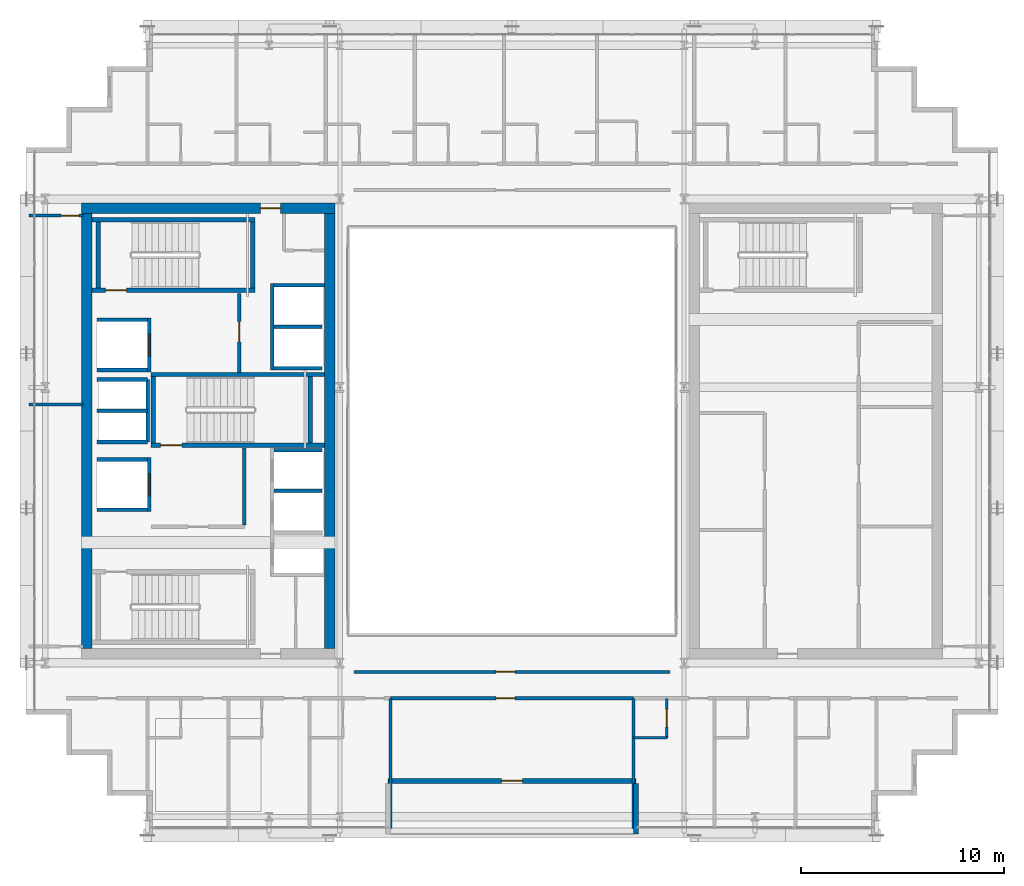
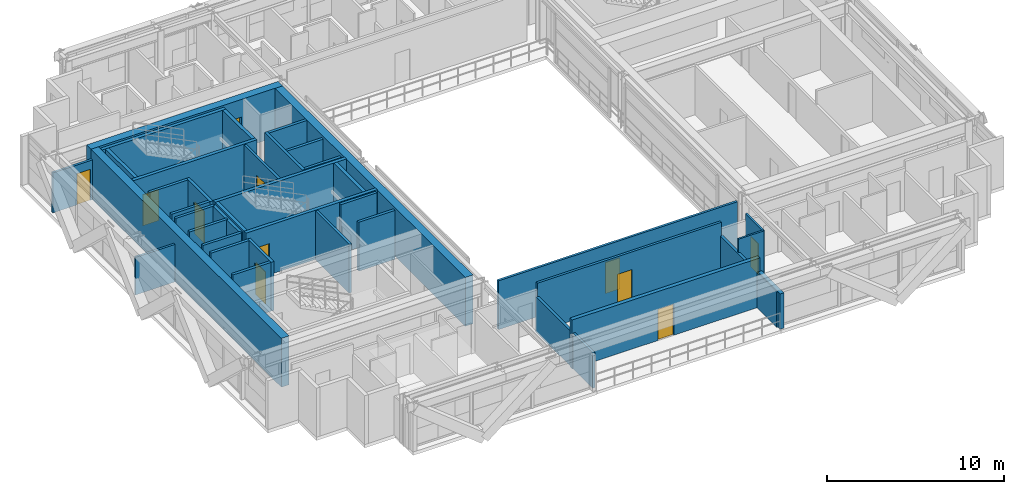
# One storey, part 30 of 38: 39 walls, 11 doors, 11 openings.
"""IFC4 building model written with IfcOpenShell, lengths in metres."""

from ifc_helpers import new_model, si_unit, direction, frame, frame_2d, origin, place, context, subcontext, project, spatial, rectangle, extrude, source, transform, mapped, material, layer, layer_set, type_object, element, fill, save


model = new_model("IFC4")

# Units and contexts
model_context = context("Model", 3, precision=1e-05, world=origin(), true_north=direction((0.0, 1.0)))
body_context = subcontext(model_context, "Body", "Model", "MODEL_VIEW")
ifc_project = project(units=[si_unit("LENGTHUNIT", "METRE"), si_unit("AREAUNIT", "SQUARE_METRE"), si_unit("VOLUMEUNIT", "CUBIC_METRE"), si_unit("PLANEANGLEUNIT", "RADIAN"), si_unit("MASSUNIT", "GRAM", prefix="KILO")], contexts=[model_context])

# Site, building, storey
site_placement = place(None, origin())
site = spatial("IfcSite", under=ifc_project, at=site_placement, CompositionType="ELEMENT")
building_placement = place(site_placement, origin())
building = spatial("IfcBuilding", under=site, at=building_placement, Name="Ocotamira Hotel", CompositionType="ELEMENT")
storey_placement = place(building_placement, frame((0.0, 0.0, 170.39990234375)))
storey = spatial("IfcBuildingStorey", under=building, at=storey_placement, Name="L42", CompositionType="ELEMENT", Elevation=170.39990234375)

# Wall, opening, door
ifc_material_1 = material(Name="Concrete C50/60", Category="concrete")
ifc_layer_1 = layer(ifc_material_1, 0.5)
ifc_layer_set_1 = layer_set([ifc_layer_1], Name="Concrete C50/60")
wall_type_1 = type_object("IfcWallType", Name="WL-CORE-500", PredefinedType="SHEAR", material=ifc_layer_set_1)
wall_1_placement = place(storey_placement, frame((10.75, 37.0, 0.0), z_axis=(0.0, 0.0, 1.0), x_axis=(1.0, 0.0, 0.0)))
wall_1 = element("IfcWall", 1, at=wall_1_placement, inside=storey, type_object=wall_type_1, Name="L42 Shear Core Wall WCORE-N", PredefinedType="SHEAR", context=body_context, shape_type="SweptSolid", body=[
    extrude(rectangle(XDim=12.5, YDim=0.5, at=frame_2d((6.25, 0.0))), origin(), (0.0, 0.0, 1.0), 3.3701171875),
])
opening_1_placement = place(wall_1_placement, frame((8.830078125, 0.0, 0.0)))
opening_1 = element("IfcOpeningElement", 2, at=opening_1_placement, cuts=wall_1, Name="Opening D-FR2", PredefinedType="OPENING", context=body_context, shape_type="SweptSolid", body=[
    extrude(rectangle(XDim=1.0, YDim=2.14990234375, at=frame_2d((0.5, 1.074951171875))), frame((0.0, 0.260009765625, 0.0), z_axis=(0.0, -1.0, 0.0), x_axis=(1.0, 0.0, 0.0)), (0.0, 0.0, 1.0), 0.52001953125),
])
ifc_material_2 = material(Name="Fire-rated acoustic timber-veneer door", Category="wood")
door_type_1 = type_object("IfcDoorType", Name="DR-FIRE-1000", OperationType="NOTDEFINED", PredefinedType="DOOR", material=ifc_material_2)
shared_shape_1 = source(origin(), body_context, "Body", "SweptSolid", [
    extrude(rectangle(XDim=1.0, YDim=2.14990234375, at=frame_2d((0.5, 1.074951171875))), frame((0.0, 0.02490234375, 0.0), z_axis=(0.0, -1.0, 0.0), x_axis=(1.0, 0.0, 0.0)), (0.0, 0.0, 1.0), 0.050048828125),
])
door_1_placement = place(opening_1_placement, origin())
door_1 = element("IfcDoor", 3, at=door_1_placement, inside=storey, type_object=door_type_1, Name="L42 Door ID-L42-WLOB-N-D [ID-L42-WLOB-N-D]", OperationType="SINGLE_SWING_RIGHT", OverallHeight=2.14990234375, OverallWidth=1.0, PredefinedType="DOOR", context=body_context, shape_type="MappedRepresentation", body=[
    mapped(shared_shape_1, transform((0.0, 0.0, 0.0), scale=1.0)),
])
fill(opening_1, door_1)

# Walls
for number, where, z_axis, x_axis, name in (
    (4, (11.0, 15.25, 0.0), (0.0, 0.0, 1.0), (0.0, 1.0, 0.0), "L42 Shear Core Wall WCORE-W"),
    (5, (23.0, 15.25, 0.0), (0.0, 0.0, 1.0), (0.0, 1.0, 0.0), "L42 Shear Core Wall WCORE-E"),
):
    element("IfcWall", number, at=place(storey_placement, frame(where, z_axis=z_axis, x_axis=x_axis)), inside=storey, type_object=wall_type_1, Name=name, PredefinedType="SHEAR", context=body_context, shape_type="SweptSolid", body=[
        extrude(rectangle(XDim=21.5, YDim=0.5, at=frame_2d((10.75, 0.0))), origin(), (0.0, 0.0, 1.0), 3.3701171875),
    ])

# Wall, opening, door
ifc_material_3 = material(Name="Precast concrete C45/55", Category="concrete")
ifc_layer_2 = layer(ifc_material_3, 0.25)
ifc_layer_set_2 = layer_set([ifc_layer_2], Name="Precast concrete C45/55")
wall_type_2 = type_object("IfcWallType", Name="WL-EXT-SER-250", PredefinedType="SOLIDWALL", material=ifc_layer_set_2)
wall_2_placement = place(storey_placement, frame((25.875, 8.72509765625, 0.0), z_axis=(0.0, 0.0, 1.0), x_axis=(1.0, 0.0, 0.0)))
wall_2 = element("IfcWall", 6, at=wall_2_placement, inside=storey, type_object=wall_type_2, Name="L42 Sky Terrace Back Wall 1", PredefinedType="SOLIDWALL", context=body_context, shape_type="SweptSolid", body=[
    extrude(rectangle(XDim=12.25, YDim=0.25, at=frame_2d((6.125, 0.0))), origin(), (0.0, 0.0, 1.0), 3.3701171875),
])
opening_2_placement = place(wall_2_placement, frame((5.60009765625, 0.0, 0.0)))
opening_2 = element("IfcOpeningElement", 7, at=opening_2_placement, cuts=wall_2, Name="Opening ED-3", PredefinedType="OPENING", context=body_context, shape_type="SweptSolid", body=[
    extrude(rectangle(XDim=1.050048828125, YDim=2.14990234375, at=frame_2d((0.52490234375, 1.074951171875))), frame((0.0, 0.135009765625, 0.0), z_axis=(0.0, -1.0, 0.0), x_axis=(1.0, 0.0, 0.0)), (0.0, 0.0, 1.0), 0.27001953125),
])
ifc_material_4 = material(Name="Thermally broken aluminium glazed door", Category="aluminium")
door_type_2 = type_object("IfcDoorType", Name="DR-TERR-1050", OperationType="NOTDEFINED", PredefinedType="DOOR", material=ifc_material_4)
shared_shape_2 = source(origin(), body_context, "Body", "SweptSolid", [
    extrude(rectangle(XDim=1.050048828125, YDim=2.14990234375, at=frame_2d((0.52490234375, 1.074951171875))), frame((0.0, 0.02490234375, 0.0), z_axis=(0.0, -1.0, 0.0), x_axis=(1.0, 0.0, 0.0)), (0.0, 0.0, 1.0), 0.050048828125),
])
door_2_placement = place(opening_2_placement, origin())
door_2 = element("IfcDoor", 8, at=door_2_placement, inside=storey, type_object=door_type_2, Name="L42 Sky Terrace Access Door 1 [ED-BAL-L42-1]", OperationType="SINGLE_SWING_RIGHT", OverallHeight=2.14990234375, OverallWidth=1.050048828125, PredefinedType="DOOR", context=body_context, shape_type="MappedRepresentation", body=[
    mapped(shared_shape_2, transform((0.0, 0.0, 0.0), scale=1.0)),
])
fill(opening_2, door_2)

# Walls
wall_3_placement = place(storey_placement, frame((38.125, 6.10009765625, 0.0), z_axis=(0.0, 0.0, 1.0), x_axis=(0.0, 1.0, 0.0)))
element("IfcWall", 9, at=wall_3_placement, inside=storey, type_object=wall_type_2, Name="L42 Sky Terrace Return Wall 1R", PredefinedType="SOLIDWALL", context=body_context, shape_type="SweptSolid", body=[
    extrude(rectangle(XDim=2.5, YDim=0.25, at=frame_2d((1.25, 0.0))), origin(), (0.0, 0.0, 1.0), 2.443115234375),
])
ifc_material_5 = material(Name="Acoustic double-layer fire gypsum board partition", Category="gypsum")
ifc_layer_3 = layer(ifc_material_5, 0.159912109375)
ifc_layer_set_3 = layer_set([ifc_layer_3], Name="Acoustic double-layer fire gypsum board partition")
wall_type_3 = type_object("IfcWallType", Name="WL-FIRE-160", PredefinedType="PARTITIONING", material=ifc_layer_set_3)
wall_4_placement = place(storey_placement, frame((18.780029296875, 21.35009765625, 0.0), z_axis=(0.0, 0.0, 1.0), x_axis=(0.0, 1.0, 0.0)))
element("IfcWall", 10, at=wall_4_placement, inside=storey, type_object=wall_type_3, Name="L42 Interior Wall PW-L42-FSAE1-E", PredefinedType="PARTITIONING", context=body_context, shape_type="SweptSolid", body=[
    extrude(rectangle(XDim=3.809814453125, YDim=0.159912109375, at=frame_2d((1.90478515625, 0.0))), origin(), (0.0, 0.0, 1.0), 3.3701171875),
])

# Wall, opening, door
wall_5_placement = place(storey_placement, frame((18.530029296875, 28.89990234375, 0.0), z_axis=(0.0, 0.0, 1.0), x_axis=(0.0, 1.0, 0.0)))
wall_5 = element("IfcWall", 11, at=wall_5_placement, inside=storey, type_object=wall_type_3, Name="L42 Interior Wall PW-L42-FSAE2-E", PredefinedType="PARTITIONING", context=body_context, shape_type="SweptSolid", body=[
    extrude(rectangle(XDim=3.900146484375, YDim=0.159912109375, at=frame_2d((1.9501953125, 0.0))), origin(), (0.0, 0.0, 1.0), 3.3701171875),
])
opening_3_placement = place(wall_5_placement, frame((1.5, 0.0, 0.0)))
opening_3 = element("IfcOpeningElement", 12, at=opening_3_placement, cuts=wall_5, Name="Opening D-FR2", PredefinedType="OPENING", context=body_context, shape_type="SweptSolid", body=[
    extrude(rectangle(XDim=1.0, YDim=2.14990234375, at=frame_2d((0.5, 1.074951171875))), frame((0.0, 0.08984375, 0.0), z_axis=(0.0, -1.0, 0.0), x_axis=(1.0, 0.0, 0.0)), (0.0, 0.0, 1.0), 0.179931640625),
])
door_3_placement = place(opening_3_placement, origin())
door_3 = element("IfcDoor", 13, at=door_3_placement, inside=storey, type_object=door_type_1, Name="L42 Door ID-L42-FSAE2-D [ID-L42-FSAE2-D]", OperationType="SINGLE_SWING_RIGHT", OverallHeight=2.14990234375, OverallWidth=1.0, PredefinedType="DOOR", context=body_context, shape_type="MappedRepresentation", body=[
    mapped(shared_shape_1, transform((0.0, 0.0, 0.0), scale=1.0)),
])
fill(opening_3, door_3)

wall_6_placement = place(storey_placement, frame((26.0, 12.800048828125, 0.0), z_axis=(0.0, 0.0, 1.0), x_axis=(1.0, 0.0, 0.0)))
wall_6 = element("IfcWall", 14, at=wall_6_placement, inside=storey, type_object=wall_type_3, Name="L42 Interior Wall PW-L42-Z3A-TSALN", PredefinedType="PARTITIONING", context=body_context, shape_type="SweptSolid", body=[
    extrude(rectangle(XDim=12.0, YDim=0.159912109375, at=frame_2d((6.0, 0.0))), origin(), (0.0, 0.0, 1.0), 3.3701171875),
])
opening_4_placement = place(wall_6_placement, frame((5.199951171875, 0.0, 0.0)))
opening_4 = element("IfcOpeningElement", 15, at=opening_4_placement, cuts=wall_6, Name="Opening D-SV4", PredefinedType="OPENING", context=body_context, shape_type="SweptSolid", body=[
    extrude(rectangle(XDim=0.9599609375, YDim=2.14990234375, at=frame_2d((0.47998046875, 1.074951171875))), frame((0.0, 0.08984375, 0.0), z_axis=(0.0, -1.0, 0.0), x_axis=(1.0, 0.0, 0.0)), (0.0, 0.0, 1.0), 0.179931640625),
])
ifc_material_6 = material(Name="Fire-rated accessible walnut salon door", Category="wood")
door_type_3 = type_object("IfcDoorType", Name="DR-SERV-960", OperationType="NOTDEFINED", PredefinedType="DOOR", material=ifc_material_6)
shared_shape_3 = source(origin(), body_context, "Body", "SweptSolid", [
    extrude(rectangle(XDim=0.9599609375, YDim=2.14990234375, at=frame_2d((0.47998046875, 1.074951171875))), frame((0.0, 0.02490234375, 0.0), z_axis=(0.0, -1.0, 0.0), x_axis=(1.0, 0.0, 0.0)), (0.0, 0.0, 1.0), 0.050048828125),
])
door_4_placement = place(opening_4_placement, origin())
door_4 = element("IfcDoor", 16, at=door_4_placement, inside=storey, type_object=door_type_3, Name="L42 Door ID-L42-Z3A-TSALD [ID-L42-Z3A-TSALD]", OperationType="SINGLE_SWING_LEFT", OverallHeight=2.14990234375, OverallWidth=0.9599609375, PredefinedType="DOOR", context=body_context, shape_type="MappedRepresentation", body=[
    mapped(shared_shape_3, transform((0.0, 0.0, 0.0), scale=1.0)),
])
fill(opening_4, door_4)

ifc_material_7 = material(Name="Moisture-resistant en-suite tile and gypsum partition", Category="gypsum")
ifc_layer_4 = layer(ifc_material_7, 0.1201171875)
ifc_layer_set_4 = layer_set([ifc_layer_4], Name="Moisture-resistant en-suite tile and gypsum partition")
wall_type_4 = type_object("IfcWallType", Name="WL-PART-120", PredefinedType="PARTITIONING", material=ifc_layer_set_4)
wall_7_placement = place(storey_placement, frame((39.64990234375, 10.85009765625, 0.0), z_axis=(0.0, 0.0, 1.0), x_axis=(0.0, 1.0, 0.0)))
wall_7 = element("IfcWall", 17, at=wall_7_placement, inside=storey, type_object=wall_type_4, Name="L42 Interior Wall PW-L42-Z3ASE-BAE1", PredefinedType="PARTITIONING", context=body_context, shape_type="SweptSolid", body=[
    extrude(rectangle(XDim=1.949951171875, YDim=0.1201171875, at=frame_2d((0.97509765625, 0.0))), origin(), (0.0, 0.0, 1.0), 3.3701171875),
])
opening_5_placement = place(wall_7_placement, frame((0.544921875, 0.0, 0.0)))
opening_5 = element("IfcOpeningElement", 18, at=opening_5_placement, cuts=wall_7, Name="Opening D-BA1", PredefinedType="OPENING", context=body_context, shape_type="SweptSolid", body=[
    extrude(rectangle(XDim=0.860107421875, YDim=2.10009765625, at=frame_2d((0.43017578125, 1.050048828125))), frame((0.0, 0.070068359375, 0.0), z_axis=(0.0, -1.0, 0.0), x_axis=(1.0, 0.0, 0.0)), (0.0, 0.0, 1.0), 0.14013671875),
])
ifc_material_8 = material(Name="Moisture-sealed en-suite timber door", Category="wood")
door_type_4 = type_object("IfcDoorType", Name="DR-BATH-860", OperationType="NOTDEFINED", PredefinedType="DOOR", material=ifc_material_8)
shared_shape_4 = source(origin(), body_context, "Body", "SweptSolid", [
    extrude(rectangle(XDim=0.860107421875, YDim=2.10009765625, at=frame_2d((0.43017578125, 1.050048828125))), frame((0.0, 0.02490234375, 0.0), z_axis=(0.0, -1.0, 0.0), x_axis=(1.0, 0.0, 0.0)), (0.0, 0.0, 1.0), 0.050048828125),
])
door_5_placement = place(opening_5_placement, origin())
door_5 = element("IfcDoor", 19, at=door_5_placement, inside=storey, type_object=door_type_4, Name="L42 Door ID-L42-Z3ASE-BAD1 [ID-L42-Z3ASE-BAD1]", OperationType="SINGLE_SWING_RIGHT", OverallHeight=2.10009765625, OverallWidth=0.860107421875, PredefinedType="DOOR", context=body_context, shape_type="MappedRepresentation", body=[
    mapped(shared_shape_4, transform((0.0, 0.0, 0.0), scale=1.0)),
])
fill(opening_5, door_5)

# Walls
wall_8_placement = place(storey_placement, frame((38.0, 10.85009765625, 0.0), z_axis=(0.0, 0.0, 1.0), x_axis=(1.0, 0.0, 0.0)))
element("IfcWall", 20, at=wall_8_placement, inside=storey, type_object=wall_type_4, Name="L42 Interior Wall PW-L42-Z3ASE-BAS1", PredefinedType="PARTITIONING", context=body_context, shape_type="SweptSolid", body=[
    extrude(rectangle(XDim=1.64990234375, YDim=0.1201171875, at=frame_2d((0.824951171875, 0.0))), origin(), (0.0, 0.0, 1.0), 3.3701171875),
])
ifc_material_9 = material(Name="Acoustic hospitality gypsum board partition", Category="gypsum")
ifc_layer_5 = layer(ifc_material_9, 0.14208984375)
ifc_layer_set_5 = layer_set([ifc_layer_5], Name="Acoustic hospitality gypsum board partition")
wall_type_5 = type_object("IfcWallType", Name="WL-PART-142", PredefinedType="PARTITIONING", material=ifc_layer_set_5)
wall_9_placement = place(storey_placement, frame((8.159912109375, 27.300048828125, 0.0), z_axis=(0.0, 0.0, 1.0), x_axis=(1.0, 0.0, 0.0)))
element("IfcWall", 21, at=wall_9_placement, inside=storey, type_object=wall_type_5, Name="L42 Interior Wall PW-L42-Z3A-WF-DV1", PredefinedType="PARTITIONING", context=body_context, shape_type="SweptSolid", body=[
    extrude(rectangle(XDim=2.66015625, YDim=0.14208984375, at=frame_2d((1.330078125, 0.0))), origin(), (0.0, 0.0, 1.0), 2.591064453125),
])

# Wall, opening, door
ifc_layer_6 = layer(ifc_material_9, 0.14990234375)
ifc_layer_set_6 = layer_set([ifc_layer_6], Name="Acoustic hospitality gypsum board partition")
wall_type_6 = type_object("IfcWallType", Name="WL-PART-150", PredefinedType="PARTITIONING", material=ifc_layer_set_6)
wall_10_placement = place(storey_placement, frame((24.199951171875, 14.10009765625, 0.0), z_axis=(0.0, 0.0, 1.0), x_axis=(1.0, 0.0, 0.0)))
wall_10 = element("IfcWall", 22, at=wall_10_placement, inside=storey, type_object=wall_type_6, Name="L42 Interior Wall PW-L42-Z3A-ATRSW", PredefinedType="PARTITIONING", context=body_context, shape_type="SweptSolid", body=[
    extrude(rectangle(XDim=15.60009765625, YDim=0.14990234375, at=frame_2d((7.800048828125, 0.0))), origin(), (0.0, 0.0, 1.0), 3.3701171875),
])
opening_6_placement = place(wall_10_placement, frame((7.0, 0.0, 0.0)))
opening_6 = element("IfcOpeningElement", 23, at=opening_6_placement, cuts=wall_10, Name="Opening D-SV4", PredefinedType="OPENING", context=body_context, shape_type="SweptSolid", body=[
    extrude(rectangle(XDim=0.9599609375, YDim=2.14990234375, at=frame_2d((0.47998046875, 1.074951171875))), frame((0.0, 0.0849609375, 0.0), z_axis=(0.0, -1.0, 0.0), x_axis=(1.0, 0.0, 0.0)), (0.0, 0.0, 1.0), 0.169921875),
])
door_6_placement = place(opening_6_placement, origin())
door_6 = element("IfcDoor", 24, at=door_6_placement, inside=storey, type_object=door_type_3, Name="L42 Door ID-L42-Z3A-ASD [ID-L42-Z3A-ASD]", OperationType="SINGLE_SWING_LEFT", OverallHeight=2.14990234375, OverallWidth=0.9599609375, PredefinedType="DOOR", context=body_context, shape_type="MappedRepresentation", body=[
    mapped(shared_shape_3, transform((0.0, 0.0, 0.0), scale=1.0)),
])
fill(opening_6, door_6)

wall_11_placement = place(storey_placement, frame((8.159912109375, 36.639892578125, 0.0), z_axis=(0.0, 0.0, 1.0), x_axis=(1.0, 0.0, 0.0)))
wall_11 = element("IfcWall", 25, at=wall_11_placement, inside=storey, type_object=wall_type_6, Name="L42 Interior Wall PW-L42-Z3A-WF-WN", PredefinedType="PARTITIONING", context=body_context, shape_type="SweptSolid", body=[
    extrude(rectangle(XDim=2.66015625, YDim=0.14990234375, at=frame_2d((1.330078125, 0.0))), origin(), (0.0, 0.0, 1.0), 2.753173828125),
])
opening_7_placement = place(wall_11_placement, frame((1.580078125, 0.0, 0.0)))
opening_7 = element("IfcOpeningElement", 26, at=opening_7_placement, cuts=wall_11, Name="Opening D-SV2", PredefinedType="OPENING", context=body_context, shape_type="SweptSolid", body=[
    extrude(rectangle(XDim=0.8798828125, YDim=2.14990234375, at=frame_2d((0.43994140625, 1.074951171875))), frame((0.0, 0.0849609375, 0.0), z_axis=(0.0, -1.0, 0.0), x_axis=(1.0, 0.0, 0.0)), (0.0, 0.0, 1.0), 0.169921875),
])
ifc_material_10 = material(Name="Fire-rated painted steel service door", Category="steel")
door_type_5 = type_object("IfcDoorType", Name="DR-SERV-880", OperationType="NOTDEFINED", PredefinedType="DOOR", material=ifc_material_10)
shared_shape_5 = source(origin(), body_context, "Body", "SweptSolid", [
    extrude(rectangle(XDim=0.8798828125, YDim=2.14990234375, at=frame_2d((0.43994140625, 1.074951171875))), frame((0.0, 0.02490234375, 0.0), z_axis=(0.0, -1.0, 0.0), x_axis=(1.0, 0.0, 0.0)), (0.0, 0.0, 1.0), 0.050048828125),
])
door_7_placement = place(opening_7_placement, origin())
door_7 = element("IfcDoor", 27, at=door_7_placement, inside=storey, type_object=door_type_5, Name="L42 Door ID-L42-Z3A-WF-DN [ID-L42-Z3A-WF-DN]", OperationType="SINGLE_SWING_RIGHT", OverallHeight=2.14990234375, OverallWidth=0.8798828125, PredefinedType="DOOR", context=body_context, shape_type="MappedRepresentation", body=[
    mapped(shared_shape_5, transform((0.0, 0.0, 0.0), scale=1.0)),
])
fill(opening_7, door_7)

# Walls
ifc_material_11 = material(Name="Acoustic double-stud hospitality gypsum partition", Category="gypsum")
ifc_layer_7 = layer(ifc_material_11, 0.159912109375)
ifc_layer_set_7 = layer_set([ifc_layer_7], Name="Acoustic double-stud hospitality gypsum partition")
wall_type_7 = type_object("IfcWallType", Name="WL-PART-160", PredefinedType="PARTITIONING", material=ifc_layer_set_7)
for number, where, z_axis, x_axis, name in (
    (28, (26.0, 6.360107421875, 0.0), (0.0, 0.0, 1.0), (0.0, 1.0, 0.0), "L42 Interior Wall PW-L42-Z3ASW-PWEND"),
    (29, (38.0, 6.360107421875, 0.0), (0.0, 0.0, 1.0), (0.0, 1.0, 0.0), "L42 Interior Wall PW-L42-Z3ASE-PW0"),
):
    element("IfcWall", number, at=place(storey_placement, frame(where, z_axis=z_axis, x_axis=x_axis)), inside=storey, type_object=wall_type_7, Name=name, PredefinedType="PARTITIONING", context=body_context, shape_type="SweptSolid", body=[
        extrude(rectangle(XDim=6.43994140625, YDim=0.159912109375, at=frame_2d((3.219970703125, 0.0))), origin(), (0.0, 0.0, 1.0), 2.443115234375),
    ])
ifc_material_12 = material(Name="Fire-rated gypsum shaftliner board assembly", Category="gypsum")
ifc_layer_8 = layer(ifc_material_12, 0.179931640625)
ifc_layer_set_8 = layer_set([ifc_layer_8], Name="Fire-rated gypsum shaftliner board assembly")
wall_type_8 = type_object("IfcWallType", Name="WL-SHAFT-180", PredefinedType="SOLIDWALL", material=ifc_layer_set_8)
for number, where, z_axis, x_axis, name in (
    (30, (20.25, 25.050048828125, 0.0), (0.0, 0.0, 1.0), (1.0, 0.0, 0.0), "L42 Interior Wall PW-L42-LFW-BANK-high-N"),
    (31, (20.25, 23.044921875, 0.0), (0.0, 0.0, 1.0), (1.0, 0.0, 0.0), "L42 Interior Wall PW-L42-LFW-DIV-LF-P8"),
):
    element("IfcWall", number, at=place(storey_placement, frame(where, z_axis=z_axis, x_axis=x_axis)), inside=storey, type_object=wall_type_8, Name=name, PredefinedType="SOLIDWALL", context=body_context, shape_type="SweptSolid", body=[
        extrude(rectangle(XDim=2.360107421875, YDim=0.179931640625, at=frame_2d((1.18017578125, 0.0))), origin(), (0.0, 0.0, 1.0), 3.3701171875),
    ])
wall_12_placement = place(storey_placement, frame((20.159912109375, 29.0, 0.0), z_axis=(0.0, 0.0, 1.0), x_axis=(0.0, 1.0, 0.0)))
element("IfcWall", 32, at=wall_12_placement, inside=storey, type_object=wall_type_8, Name="L42 Interior Wall PW-L42-LFW-BANK-obs-F", PredefinedType="SOLIDWALL", context=body_context, shape_type="SweptSolid", body=[
    extrude(rectangle(XDim=4.2900390625, YDim=0.179931640625, at=frame_2d((2.14501953125, 0.0))), origin(), (0.0, 0.0, 1.0), 3.3701171875),
])
wall_13_placement = place(storey_placement, frame((20.25, 29.090087890625, 0.0), z_axis=(0.0, 0.0, 1.0), x_axis=(1.0, 0.0, 0.0)))
element("IfcWall", 33, at=wall_13_placement, inside=storey, type_object=wall_type_8, Name="L42 Interior Wall PW-L42-LFW-BANK-obs-S", PredefinedType="SOLIDWALL", context=body_context, shape_type="SweptSolid", body=[
    extrude(rectangle(XDim=2.360107421875, YDim=0.179931640625, at=frame_2d((1.18017578125, 0.0))), origin(), (0.0, 0.0, 1.0), 3.3701171875),
])
wall_14_placement = place(storey_placement, frame((20.25, 33.199951171875, 0.0), z_axis=(0.0, 0.0, 1.0), x_axis=(1.0, 0.0, 0.0)))
element("IfcWall", 34, at=wall_14_placement, inside=storey, type_object=wall_type_8, Name="L42 Interior Wall PW-L42-LFW-BANK-obs-N", PredefinedType="SOLIDWALL", context=body_context, shape_type="SweptSolid", body=[
    extrude(rectangle(XDim=2.5, YDim=0.179931640625, at=frame_2d((1.25, 0.0))), origin(), (0.0, 0.0, 1.0), 3.3701171875),
])
wall_15_placement = place(storey_placement, frame((20.25, 31.14501953125, 0.0), z_axis=(0.0, 0.0, 1.0), x_axis=(1.0, 0.0, 0.0)))
element("IfcWall", 35, at=wall_15_placement, inside=storey, type_object=wall_type_8, Name="L42 Interior Wall PW-L42-LFW-DIV-LF-OBS1", PredefinedType="SOLIDWALL", context=body_context, shape_type="SweptSolid", body=[
    extrude(rectangle(XDim=2.360107421875, YDim=0.179931640625, at=frame_2d((1.18017578125, 0.0))), origin(), (0.0, 0.0, 1.0), 3.3701171875),
])
for number, where, z_axis, x_axis, name in (
    (36, (11.5, 22.110107421875, 0.0), (0.0, 0.0, 1.0), (1.0, 0.0, 0.0), "L42 Interior Wall PW-L42-LFW-LF-FSAE1-S"),
    (37, (11.5, 24.590087890625, 0.0), (0.0, 0.0, 1.0), (1.0, 0.0, 0.0), "L42 Interior Wall PW-L42-LFW-LF-FSAE1-N"),
):
    element("IfcWall", number, at=place(storey_placement, frame(where, z_axis=z_axis, x_axis=x_axis)), inside=storey, type_object=wall_type_8, Name=name, PredefinedType="SOLIDWALL", context=body_context, shape_type="SweptSolid", body=[
        extrude(rectangle(XDim=2.5, YDim=0.179931640625, at=frame_2d((1.25, 0.0))), origin(), (0.0, 0.0, 1.0), 3.3701171875),
    ])

# Wall, opening, door
wall_16_placement = place(storey_placement, frame((14.090087890625, 22.02001953125, 0.0), z_axis=(0.0, 0.0, 1.0), x_axis=(0.0, 1.0, 0.0)))
wall_16 = element("IfcWall", 38, at=wall_16_placement, inside=storey, type_object=wall_type_8, Name="L42 Interior Wall PW-L42-LFW-LF-FSAE1-E", PredefinedType="SOLIDWALL", context=body_context, shape_type="SweptSolid", body=[
    extrude(rectangle(XDim=2.659912109375, YDim=0.179931640625, at=frame_2d((1.330078125, 0.0))), origin(), (0.0, 0.0, 1.0), 3.3701171875),
])
opening_8_placement = place(wall_16_placement, frame((0.780029296875, 0.0, 0.0)))
opening_8 = element("IfcOpeningElement", 39, at=opening_8_placement, cuts=wall_16, Name="Opening LD-LF-FSAE1", PredefinedType="OPENING", context=body_context, shape_type="SweptSolid", body=[
    extrude(rectangle(XDim=1.10009765625, YDim=2.199951171875, at=frame_2d((0.550048828125, 1.10009765625))), frame((0.0, 0.10009765625, 0.0), z_axis=(0.0, -1.0, 0.0), x_axis=(1.0, 0.0, 0.0)), (0.0, 0.0, 1.0), 0.199951171875),
])
ifc_material_13 = material(Name="Brushed pale-metal stainless elevator landing door", Category="steel")
door_type_6 = type_object("IfcDoorType", Name="DR-LIFT-1100", OperationType="NOTDEFINED", PredefinedType="DOOR", material=ifc_material_13)
shared_shape_6 = source(origin(), body_context, "Body", "SweptSolid", [
    extrude(rectangle(XDim=1.10009765625, YDim=2.199951171875, at=frame_2d((0.550048828125, 1.10009765625))), frame((0.0, 0.02490234375, 0.0), z_axis=(0.0, -1.0, 0.0), x_axis=(1.0, 0.0, 0.0)), (0.0, 0.0, 1.0), 0.050048828125),
])
door_8_placement = place(opening_8_placement, origin())
door_8 = element("IfcDoor", 40, at=door_8_placement, inside=storey, type_object=door_type_6, Name="L42 Landing Door LD-LF-FSAE1 [ID-L42-LD-LF-FSAE1]", OperationType="DOUBLE_DOOR_SLIDING", OverallHeight=2.199951171875, OverallWidth=1.10009765625, PredefinedType="DOOR", context=body_context, shape_type="MappedRepresentation", body=[
    mapped(shared_shape_6, transform((0.0, 0.0, 0.0), scale=1.0)),
])
fill(opening_8, door_8)

# Walls
for number, where, z_axis, x_axis, name in (
    (41, (11.5, 29.010009765625, 0.0), (0.0, 0.0, 1.0), (1.0, 0.0, 0.0), "L42 Interior Wall PW-L42-LFW-LF-FSAE2-S"),
    (42, (11.5, 31.489990234375, 0.0), (0.0, 0.0, 1.0), (1.0, 0.0, 0.0), "L42 Interior Wall PW-L42-LFW-LF-FSAE2-N"),
):
    element("IfcWall", number, at=place(storey_placement, frame(where, z_axis=z_axis, x_axis=x_axis)), inside=storey, type_object=wall_type_8, Name=name, PredefinedType="SOLIDWALL", context=body_context, shape_type="SweptSolid", body=[
        extrude(rectangle(XDim=2.5, YDim=0.179931640625, at=frame_2d((1.25, 0.0))), origin(), (0.0, 0.0, 1.0), 3.3701171875),
    ])

# Wall, opening, door
wall_17_placement = place(storey_placement, frame((14.090087890625, 28.919921875, 0.0), z_axis=(0.0, 0.0, 1.0), x_axis=(0.0, 1.0, 0.0)))
wall_17 = element("IfcWall", 43, at=wall_17_placement, inside=storey, type_object=wall_type_8, Name="L42 Interior Wall PW-L42-LFW-LF-FSAE2-E", PredefinedType="SOLIDWALL", context=body_context, shape_type="SweptSolid", body=[
    extrude(rectangle(XDim=2.66015625, YDim=0.179931640625, at=frame_2d((1.330078125, 0.0))), origin(), (0.0, 0.0, 1.0), 3.3701171875),
])
opening_9_placement = place(wall_17_placement, frame((0.780029296875, 0.0, 0.0)))
opening_9 = element("IfcOpeningElement", 44, at=opening_9_placement, cuts=wall_17, Name="Opening LD-LF-FSAE2", PredefinedType="OPENING", context=body_context, shape_type="SweptSolid", body=[
    extrude(rectangle(XDim=1.10009765625, YDim=2.199951171875, at=frame_2d((0.550048828125, 1.10009765625))), frame((0.0, 0.10009765625, 0.0), z_axis=(0.0, -1.0, 0.0), x_axis=(1.0, 0.0, 0.0)), (0.0, 0.0, 1.0), 0.199951171875),
])
door_9_placement = place(opening_9_placement, origin())
door_9 = element("IfcDoor", 45, at=door_9_placement, inside=storey, type_object=door_type_6, Name="L42 Landing Door LD-LF-FSAE2 [ID-L42-LD-LF-FSAE2]", OperationType="DOUBLE_DOOR_SLIDING", OverallHeight=2.199951171875, OverallWidth=1.10009765625, PredefinedType="DOOR", context=body_context, shape_type="MappedRepresentation", body=[
    mapped(shared_shape_6, transform((0.0, 0.0, 0.0), scale=1.0)),
])
fill(opening_9, door_9)

# Walls
for number, where, z_axis, x_axis, name in (
    (46, (11.5, 25.4599609375, 0.0), (0.0, 0.0, 1.0), (1.0, 0.0, 0.0), "L42 Interior Wall PW-L42-RSW-S"),
    (47, (11.5, 27.0, 0.0), (0.0, 0.0, 1.0), (1.0, 0.0, 0.0), "L42 Interior Wall PW-L42-RSW-MID"),
    (48, (11.5, 28.5400390625, 0.0), (0.0, 0.0, 1.0), (1.0, 0.0, 0.0), "L42 Interior Wall PW-L42-RSW-N"),
):
    element("IfcWall", number, at=place(storey_placement, frame(where, z_axis=z_axis, x_axis=x_axis)), inside=storey, type_object=wall_type_8, Name=name, PredefinedType="SOLIDWALL", context=body_context, shape_type="SweptSolid", body=[
        extrude(rectangle(XDim=2.510009765625, YDim=0.179931640625, at=frame_2d((1.2548828125, 0.0))), origin(), (0.0, 0.0, 1.0), 3.3701171875),
    ])
wall_18_placement = place(storey_placement, frame((14.010009765625, 25.4599609375, 0.0), z_axis=(0.0, 0.0, 1.0), x_axis=(0.0, 1.0, 0.0)))
element("IfcWall", 49, at=wall_18_placement, inside=storey, type_object=wall_type_8, Name="L42 Interior Wall PW-L42-RSW-E", PredefinedType="SOLIDWALL", context=body_context, shape_type="SweptSolid", body=[
    extrude(rectangle(XDim=3.080078125, YDim=0.179931640625, at=frame_2d((1.5400390625, 0.0))), origin(), (0.0, 0.0, 1.0), 3.3701171875),
])

# Wall, opening, door
ifc_layer_9 = layer(ifc_material_1, 0.219970703125)
ifc_layer_set_9 = layer_set([ifc_layer_9], Name="Concrete C50/60")
wall_type_9 = type_object("IfcWallType", Name="WL-STAIR-220", PredefinedType="SHEAR", material=ifc_layer_set_9)
wall_19_placement = place(storey_placement, frame((11.25, 32.93994140625, 0.0), z_axis=(0.0, 0.0, 1.0), x_axis=(1.0, 0.0, 0.0)))
wall_19 = element("IfcWall", 50, at=wall_19_placement, inside=storey, type_object=wall_type_9, Name="L42 Stair Shaft Structural Wall ST-2-S", PredefinedType="SHEAR", context=body_context, shape_type="SweptSolid", body=[
    extrude(rectangle(XDim=8.06005859375, YDim=0.219970703125, at=frame_2d((4.030029296875, 0.0))), origin(), (0.0, 0.0, 1.0), 3.400146484375),
])
opening_10_placement = place(wall_19_placement, frame((0.669921875, 0.0, 0.0)))
opening_10 = element("IfcOpeningElement", 51, at=opening_10_placement, cuts=wall_19, Name="Opening D-ST2", PredefinedType="OPENING", context=body_context, shape_type="SweptSolid", body=[
    extrude(rectangle(XDim=1.050048828125, YDim=2.14990234375, at=frame_2d((0.52490234375, 1.074951171875))), frame((0.0, 0.1201171875, 0.0), z_axis=(0.0, -1.0, 0.0), x_axis=(1.0, 0.0, 0.0)), (0.0, 0.0, 1.0), 0.239990234375),
])
ifc_material_14 = material(Name="Insulated painted hollow-metal fire exit door", Category="steel")
door_type_7 = type_object("IfcDoorType", Name="DR-STAIR-1050", OperationType="NOTDEFINED", PredefinedType="DOOR", material=ifc_material_14)
door_10_placement = place(opening_10_placement, origin())
door_10 = element("IfcDoor", 52, at=door_10_placement, inside=storey, type_object=door_type_7, Name="L42 Door ID-L42-STD-ST-2 [ID-L42-STD-ST-2]", OperationType="SINGLE_SWING_RIGHT", OverallHeight=2.14990234375, OverallWidth=1.050048828125, PredefinedType="DOOR", context=body_context, shape_type="MappedRepresentation", body=[
    mapped(shared_shape_2, transform((0.0, 0.0, 0.0), scale=1.0)),
])
fill(opening_10, door_10)

# Walls
wall_20_placement = place(storey_placement, frame((11.25, 36.43994140625, 0.0), z_axis=(0.0, 0.0, 1.0), x_axis=(1.0, 0.0, 0.0)))
element("IfcWall", 53, at=wall_20_placement, inside=storey, type_object=wall_type_9, Name="L42 Stair Shaft Structural Wall ST-2-N", PredefinedType="SHEAR", context=body_context, shape_type="SweptSolid", body=[
    extrude(rectangle(XDim=8.06005859375, YDim=0.219970703125, at=frame_2d((4.030029296875, 0.0))), origin(), (0.0, 0.0, 1.0), 3.400146484375),
])
for number, where, z_axis, x_axis, name in (
    (54, (11.56005859375, 33.050048828125, 0.0), (0.0, 0.0, 1.0), (0.0, 1.0, 0.0), "L42 Stair Shaft Structural Wall ST-2-W"),
    (55, (19.199951171875, 33.050048828125, 0.0), (0.0, 0.0, 1.0), (0.0, 1.0, 0.0), "L42 Stair Shaft Structural Wall ST-2-E"),
):
    element("IfcWall", number, at=place(storey_placement, frame(where, z_axis=z_axis, x_axis=x_axis)), inside=storey, type_object=wall_type_9, Name=name, PredefinedType="SHEAR", context=body_context, shape_type="SweptSolid", body=[
        extrude(rectangle(XDim=3.280029296875, YDim=0.219970703125, at=frame_2d((1.64013671875, 0.0))), origin(), (0.0, 0.0, 1.0), 3.400146484375),
    ])

# Wall, opening, door
wall_21_placement = place(storey_placement, frame((14.179931640625, 25.2900390625, 0.0), z_axis=(0.0, 0.0, 1.0), x_axis=(1.0, 0.0, 0.0)))
wall_21 = element("IfcWall", 56, at=wall_21_placement, inside=storey, type_object=wall_type_9, Name="L42 Stair Shaft Structural Wall ST-3-S", PredefinedType="SHEAR", context=body_context, shape_type="SweptSolid", body=[
    extrude(rectangle(XDim=8.570068359375, YDim=0.219970703125, at=frame_2d((4.28515625, 0.0))), origin(), (0.0, 0.0, 1.0), 3.400146484375),
])
opening_11_placement = place(wall_21_placement, frame((0.469970703125, 0.0, 0.0)))
opening_11 = element("IfcOpeningElement", 57, at=opening_11_placement, cuts=wall_21, Name="Opening D-ST2", PredefinedType="OPENING", context=body_context, shape_type="SweptSolid", body=[
    extrude(rectangle(XDim=1.050048828125, YDim=2.14990234375, at=frame_2d((0.52490234375, 1.074951171875))), frame((0.0, 0.1201171875, 0.0), z_axis=(0.0, -1.0, 0.0), x_axis=(1.0, 0.0, 0.0)), (0.0, 0.0, 1.0), 0.239990234375),
])
door_11_placement = place(opening_11_placement, origin())
door_11 = element("IfcDoor", 58, at=door_11_placement, inside=storey, type_object=door_type_7, Name="L42 Door ID-L42-STD-ST-3 [ID-L42-STD-ST-3]", OperationType="SINGLE_SWING_LEFT", OverallHeight=2.14990234375, OverallWidth=1.050048828125, PredefinedType="DOOR", context=body_context, shape_type="MappedRepresentation", body=[
    mapped(shared_shape_2, transform((0.0, 0.0, 0.0), scale=1.0)),
])
fill(opening_11, door_11)

# Walls
wall_22_placement = place(storey_placement, frame((14.179931640625, 28.7900390625, 0.0), z_axis=(0.0, 0.0, 1.0), x_axis=(1.0, 0.0, 0.0)))
element("IfcWall", 59, at=wall_22_placement, inside=storey, type_object=wall_type_9, Name="L42 Stair Shaft Structural Wall ST-3-N", PredefinedType="SHEAR", context=body_context, shape_type="SweptSolid", body=[
    extrude(rectangle(XDim=8.570068359375, YDim=0.219970703125, at=frame_2d((4.28515625, 0.0))), origin(), (0.0, 0.0, 1.0), 3.400146484375),
])
for number, where, z_axis, x_axis, name in (
    (60, (14.2900390625, 25.39990234375, 0.0), (0.0, 0.0, 1.0), (0.0, 1.0, 0.0), "L42 Stair Shaft Structural Wall ST-3-W"),
    (61, (22.030029296875, 25.39990234375, 0.0), (0.0, 0.0, 1.0), (0.0, 1.0, 0.0), "L42 Stair Shaft Structural Wall ST-3-E"),
):
    element("IfcWall", number, at=place(storey_placement, frame(where, z_axis=z_axis, x_axis=x_axis)), inside=storey, type_object=wall_type_9, Name=name, PredefinedType="SHEAR", context=body_context, shape_type="SweptSolid", body=[
        extrude(rectangle(XDim=3.280029296875, YDim=0.219970703125, at=frame_2d((1.64013671875, 0.0))), origin(), (0.0, 0.0, 1.0), 3.400146484375),
    ])

save(model, "model.ifc")
